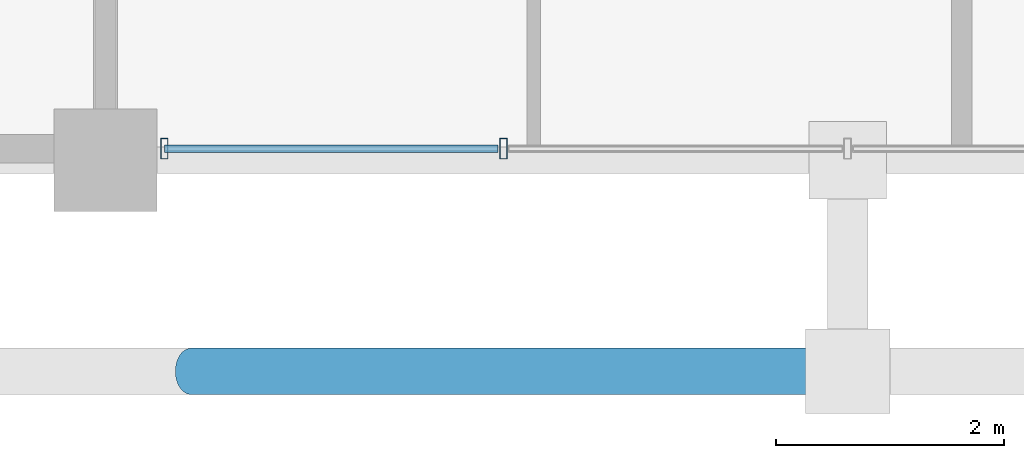
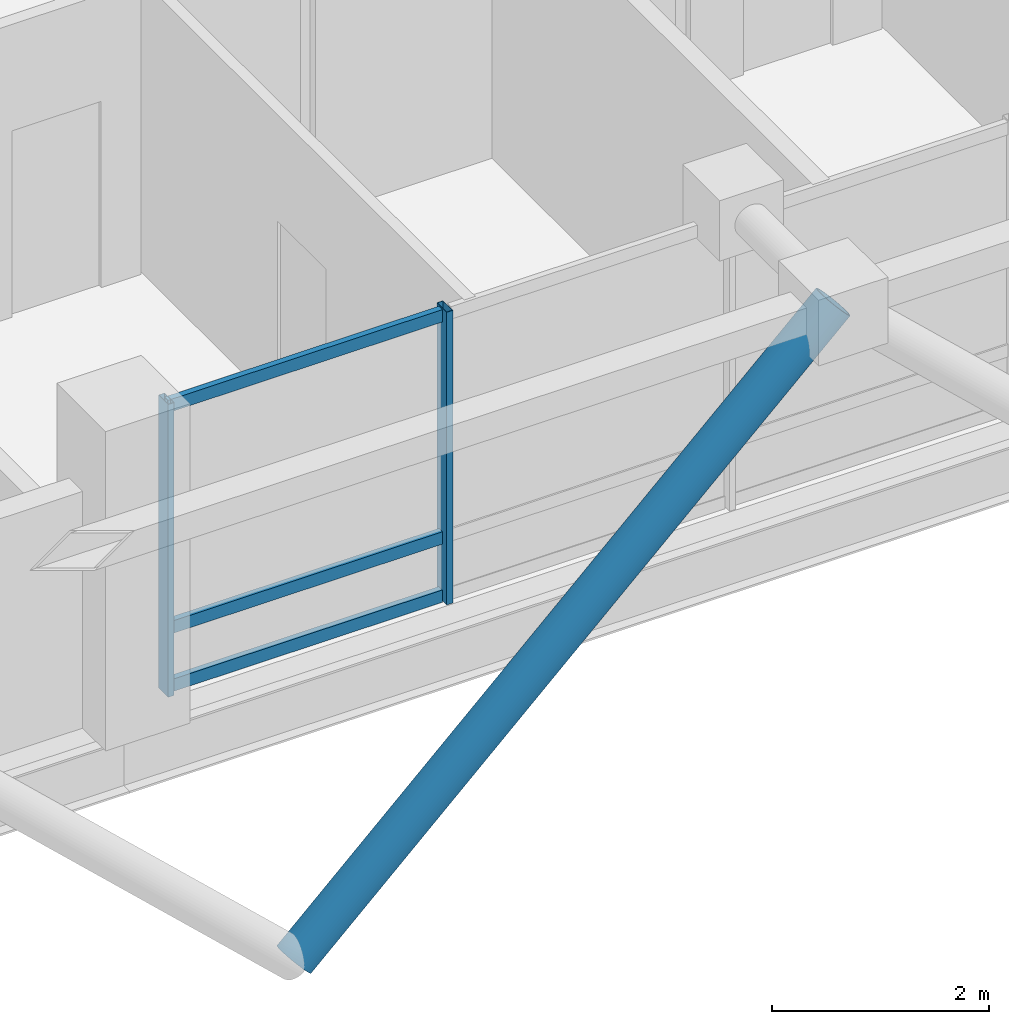
# One storey, part 2 of 25: 6 members, 1 element without a shape of its own.
"""IFC4 building model written with IfcOpenShell, lengths in metres."""

from ifc_helpers import new_model, si_unit, direction, frame, origin, origin_2d, place, context, subcontext, project, spatial, hollow_rectangle, hollow_circle, extrude, material, layer, layer_set, material_profile, profile_set, type_object, element, aggregate, save


model = new_model("IFC4")

# Units and contexts
model_context = context("Model", 3, precision=1e-05, world=origin(), true_north=direction((0.0, 1.0)))
body_context = subcontext(model_context, "Body", "Model", "MODEL_VIEW")
ifc_project = project(units=[si_unit("LENGTHUNIT", "METRE"), si_unit("AREAUNIT", "SQUARE_METRE"), si_unit("VOLUMEUNIT", "CUBIC_METRE"), si_unit("PLANEANGLEUNIT", "RADIAN"), si_unit("MASSUNIT", "GRAM", prefix="KILO")], contexts=[model_context])

# Site, building, storey
site_placement = place(None, origin())
site = spatial("IfcSite", under=ifc_project, at=site_placement, CompositionType="ELEMENT")
building_placement = place(site_placement, origin())
building = spatial("IfcBuilding", under=site, at=building_placement, Name="Barlavira Tower and Art Museum", CompositionType="ELEMENT")
storey_placement = place(building_placement, frame((0.0, 0.0, 301.5)))
storey = spatial("IfcBuildingStorey", under=building, at=storey_placement, Name="L79", CompositionType="ELEMENT", Elevation=301.5)

# Curtain wall, members
ifc_material_1 = material(Name="Low-iron coastal laminated glass", Category="glass")
ifc_layer = layer(ifc_material_1, 0.2099609375, Name="Low-iron coastal laminated glass")
ifc_layer_set = layer_set([ifc_layer], Name="Low-iron coastal laminated glass")
curtain_wall_type = type_object("IfcCurtainWallType", Name="Pale-Metal Unitised Curtain Wall Zone 4", PredefinedType="NOTDEFINED", material=ifc_layer_set)
curtain_wall_placement = place(storey_placement, origin())
curtain_wall = element("IfcCurtainWall", 1, at=curtain_wall_placement, inside=storey, type_object=curtain_wall_type, Name="L79 Curtain Wall CW4-L79-S-B2", PredefinedType="NOTDEFINED")
ifc_material_2 = material(Name="Pale anodised aluminium", Category="aluminium")
ifc_material_profile_1 = material_profile(ifc_material_2, hollow_rectangle(XDim=0.06494140625, YDim=0.179931640625, WallThickness=0.00390625, at=origin_2d()), Name="ALU-MULL 65x180x4")
ifc_profile_set_1 = profile_set([ifc_material_profile_1], Name="Pale anodised aluminium")
member_type_1 = type_object("IfcMemberType", Name="Curtain Wall Pale-Metal Mullion 65x180", PredefinedType="MULLION", material=ifc_profile_set_1)
member_1_placement = place(storey_placement, frame((-5.985107421875, -19.89990234375, 0.0), z_axis=(0.0, 0.0, 1.0), x_axis=(1.0, 0.0, 0.0)))
member_1 = element("IfcMember", 2, at=member_1_placement, type_object=member_type_1, Name="CW4-L79-S-B2 Mullion 0", PredefinedType="MULLION", context=body_context, shape_type="SweptSolid", body=[
    extrude(hollow_rectangle(XDim=0.06494140625, YDim=0.179931640625, WallThickness=0.00390625, at=origin_2d()), origin(), (0.0, 0.0, 1.0), 3.300048828125),
])
member_2_placement = place(storey_placement, frame((-3.014892578125, -19.89990234375, 0.0), z_axis=(0.0, 0.0, 1.0), x_axis=(1.0, 0.0, 0.0)))
member_2 = element("IfcMember", 3, at=member_2_placement, type_object=member_type_1, Name="CW4-L79-S-B2 Mullion 1", PredefinedType="MULLION", context=body_context, shape_type="SweptSolid", body=[
    extrude(hollow_rectangle(XDim=0.06494140625, YDim=0.179931640625, WallThickness=0.00390625, at=origin_2d()), origin(), (0.0, 0.0, 1.0), 3.300048828125),
])
ifc_material_profile_2 = material_profile(ifc_material_2, hollow_rectangle(XDim=0.06494140625, YDim=0.139892578125, WallThickness=0.00390625, at=origin_2d()), Name="ALU-TRAN 65x140x4")
ifc_profile_set_2 = profile_set([ifc_material_profile_2], Name="Pale anodised aluminium")
member_type_2 = type_object("IfcMemberType", Name="Curtain Wall Pale-Metal Transom 65x140", PredefinedType="USERDEFINED", material=ifc_profile_set_2)
member_3_placement = place(storey_placement, frame((-5.985107421875, -19.89990234375, 0.070068359375), z_axis=(1.0, 0.0, 0.0), x_axis=(0.0, 1.0, 0.0)))
member_3 = element("IfcMember", 4, at=member_3_placement, type_object=member_type_2, Name="CW4-L79-S-B2 Transom 0.1", ObjectType="TRANSOM", PredefinedType="USERDEFINED", context=body_context, shape_type="SweptSolid", body=[
    extrude(hollow_rectangle(XDim=0.06494140625, YDim=0.139892578125, WallThickness=0.00390625, at=origin_2d()), origin(), (0.0, 0.0, 1.0), 2.925048828125),
])
member_4_placement = place(storey_placement, frame((-5.985107421875, -19.89990234375, 0.72607421875), z_axis=(1.0, 0.0, 0.0), x_axis=(0.0, 1.0, 0.0)))
member_4 = element("IfcMember", 5, at=member_4_placement, type_object=member_type_2, Name="CW4-L79-S-B2 Transom 0.2", ObjectType="TRANSOM", PredefinedType="USERDEFINED", context=body_context, shape_type="SweptSolid", body=[
    extrude(hollow_rectangle(XDim=0.06494140625, YDim=0.139892578125, WallThickness=0.00390625, at=origin_2d()), origin(), (0.0, 0.0, 1.0), 2.925048828125),
])
member_5_placement = place(storey_placement, frame((-5.985107421875, -19.89990234375, 3.22998046875), z_axis=(1.0, 0.0, 0.0), x_axis=(0.0, 1.0, 0.0)))
member_5 = element("IfcMember", 6, at=member_5_placement, type_object=member_type_2, Name="CW4-L79-S-B2 Transom 0.3", ObjectType="TRANSOM", PredefinedType="USERDEFINED", context=body_context, shape_type="SweptSolid", body=[
    extrude(hollow_rectangle(XDim=0.06494140625, YDim=0.139892578125, WallThickness=0.00390625, at=origin_2d()), origin(), (0.0, 0.0, 1.0), 2.925048828125),
])
aggregate(curtain_wall, [member_1, member_2, member_3, member_4, member_5])

# Member
ifc_material_3 = material(Name="Steel S355", Category="steel")
ifc_material_profile_3 = material_profile(ifc_material_3, hollow_circle(Radius=0.203125, WallThickness=0.01611328125, at=origin_2d()), Name="CHS 406.4x16.0")
ifc_profile_set_3 = profile_set([ifc_material_profile_3], Name="Steel S355")
member_type_3 = type_object("IfcMemberType", Name="Pale-Metal Exoskeleton Diagrid Tube CHS 406x16 Steel S355", PredefinedType="BRACE", material=ifc_profile_set_3)
member_6_placement = place(storey_placement, frame((-5.75, -21.85009765625, -1.919921875), z_axis=(0.728950095515, 0.0, 0.684566839869), x_axis=(0.0, 1.0, 0.0)))
element("IfcMember", 7, at=member_6_placement, inside=storey, type_object=member_type_3, Name="L79 Exoskeleton Diagrid Tube S", PredefinedType="BRACE", context=body_context, shape_type="SweptSolid", body=[
    extrude(hollow_circle(Radius=0.203125, WallThickness=0.01611328125, at=origin_2d()), origin(), (0.0, 0.0, 1.0), 7.887939453125),
])

save(model, "model.ifc")
